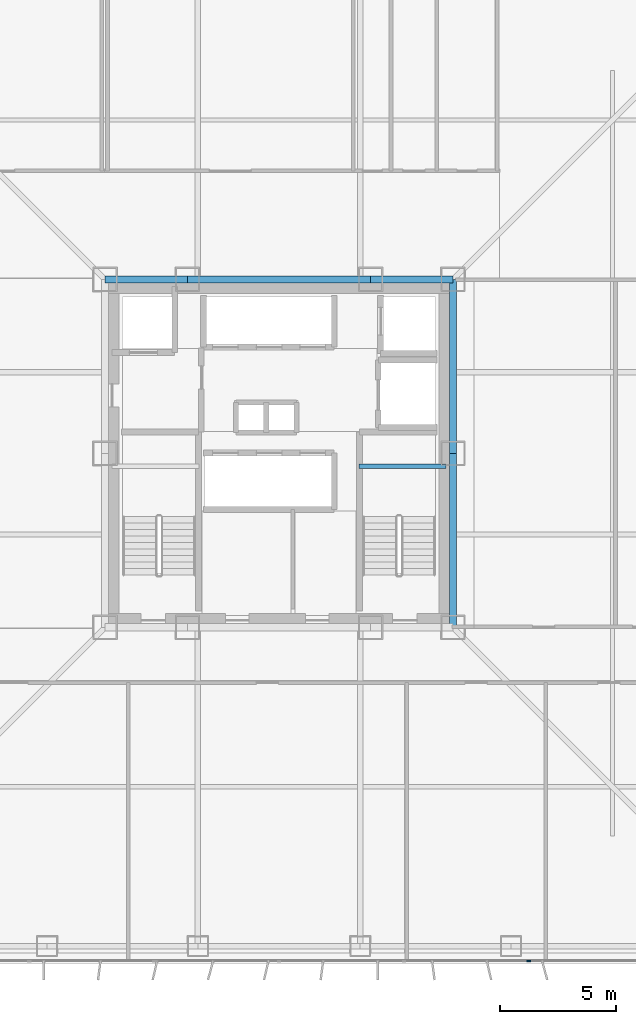
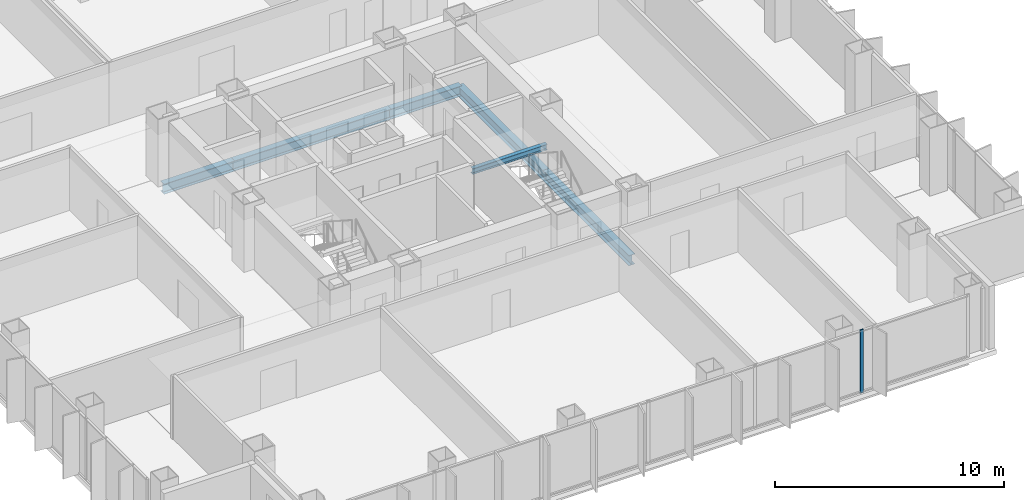
# One storey, part 6 of 17: 6 beams, 1 member, 1 element without a shape of its own.
"""IFC4 building model written with IfcOpenShell, lengths in metres."""

from ifc_helpers import new_model, si_unit, direction, frame, origin, origin_2d, place, context, subcontext, project, spatial, rectangle, i_section, extrude, material, layer, layer_set, material_profile, profile_set, type_object, element, aggregate, save


model = new_model("IFC4")

# Units and contexts
model_context = context("Model", 3, precision=1e-05, world=origin(), true_north=direction((0.0, 1.0)))
body_context = subcontext(model_context, "Body", "Model", "MODEL_VIEW")
ifc_project = project(units=[si_unit("LENGTHUNIT", "METRE"), si_unit("AREAUNIT", "SQUARE_METRE"), si_unit("VOLUMEUNIT", "CUBIC_METRE"), si_unit("PLANEANGLEUNIT", "RADIAN"), si_unit("MASSUNIT", "GRAM", prefix="KILO")], contexts=[model_context])

# Site, building, storey
site_placement = place(None, origin())
site = spatial("IfcSite", under=ifc_project, at=site_placement, CompositionType="ELEMENT")
building_placement = place(site_placement, origin())
building = spatial("IfcBuilding", under=site, at=building_placement, Name="Trevonay Congress Spire", CompositionType="ELEMENT")
storey_placement = place(building_placement, frame((0.0, 0.0, 126.39990234375)))
storey = spatial("IfcBuildingStorey", under=building, at=storey_placement, Name="L32", CompositionType="ELEMENT", Elevation=126.39990234375)

# Beams
ifc_material_1 = material(Name="Steel ASTM A572 Grade 50", Category="steel")
ifc_material_profile_1 = material_profile(ifc_material_1, i_section(OverallWidth=0.31201171875, OverallDepth=0.54296875, WebThickness=0.0126953125, FlangeThickness=0.020263671875, FilletRadius=0.014892578125, at=origin_2d()), Name="W530x150")
ifc_profile_set_1 = profile_set([ifc_material_profile_1], Name="Steel ASTM A572 Grade 50")
beam_type_1 = type_object("IfcBeamType", Name="BM-GIRD-W530X150", PredefinedType="BEAM", material=ifc_profile_set_1)
beam_1_placement = place(storey_placement, frame((-7.5, 7.5, -0.511474609375), z_axis=(1.0, 0.0, 0.0), x_axis=(0.0, 1.0, 0.0)))
element("IfcBeam", 1, at=beam_1_placement, inside=storey, type_object=beam_type_1, Name="L32 structural beam BM-L32-CR-N1", PredefinedType="BEAM", context=body_context, shape_type="SweptSolid", body=[
    extrude(i_section(OverallWidth=0.31201171875, OverallDepth=0.54296875, WebThickness=0.0126953125, FlangeThickness=0.020263671875, FilletRadius=0.014892578125, at=origin_2d()), origin(), (0.0, 0.0, 1.0), 3.550048828125),
])
beam_2_placement = place(storey_placement, frame((-3.949951171875, 7.5, -0.511474609375), z_axis=(1.0, 0.0, 0.0), x_axis=(0.0, 1.0, 0.0)))
element("IfcBeam", 2, at=beam_2_placement, inside=storey, type_object=beam_type_1, Name="L32 structural beam BM-L32-CR-N2", PredefinedType="BEAM", context=body_context, shape_type="SweptSolid", body=[
    extrude(i_section(OverallWidth=0.31201171875, OverallDepth=0.54296875, WebThickness=0.0126953125, FlangeThickness=0.020263671875, FilletRadius=0.014892578125, at=origin_2d()), origin(), (0.0, 0.0, 1.0), 7.89990234375),
])
beam_3_placement = place(storey_placement, frame((3.949951171875, 7.5, -0.511474609375), z_axis=(1.0, 0.0, 0.0), x_axis=(0.0, 1.0, 0.0)))
element("IfcBeam", 3, at=beam_3_placement, inside=storey, type_object=beam_type_1, Name="L32 structural beam BM-L32-CR-N3", PredefinedType="BEAM", context=body_context, shape_type="SweptSolid", body=[
    extrude(i_section(OverallWidth=0.31201171875, OverallDepth=0.54296875, WebThickness=0.0126953125, FlangeThickness=0.020263671875, FilletRadius=0.014892578125, at=origin_2d()), origin(), (0.0, 0.0, 1.0), 3.550048828125),
])
for number, where, z_axis, x_axis, name in (
    (4, (7.5, -7.5, -0.511474609375), (0.0, 1.0, 0.0), (-1.0, 0.0, 0.0), "L32 structural beam BM-L32-CR-E1"),
    (5, (7.5, 0.0, -0.511474609375), (0.0, 1.0, 0.0), (-1.0, 0.0, 0.0), "L32 structural beam BM-L32-CR-E2"),
):
    element("IfcBeam", number, at=place(storey_placement, frame(where, z_axis=z_axis, x_axis=x_axis)), inside=storey, type_object=beam_type_1, Name=name, PredefinedType="BEAM", context=body_context, shape_type="SweptSolid", body=[
        extrude(i_section(OverallWidth=0.31201171875, OverallDepth=0.54296875, WebThickness=0.0126953125, FlangeThickness=0.020263671875, FilletRadius=0.014892578125, at=origin_2d()), origin(), (0.0, 0.0, 1.0), 7.5),
    ])

# Curtain wall, member
ifc_material_2 = material(Name="Pale Anodised Aluminium EN AW-6063-T6", Category="aluminium")
ifc_layer = layer(ifc_material_2, 0.175048828125, Name="Pale Anodised Aluminium EN AW-6063-T6")
ifc_layer_set = layer_set([ifc_layer], Name="Pale Anodised Aluminium EN AW-6063-T6")
curtain_wall_type = type_object("IfcCurtainWallType", Name="CW-SYS03-CONGRESS-PALE-METAL", PredefinedType="NOTDEFINED", material=ifc_layer_set)
curtain_wall_placement = place(storey_placement, origin())
curtain_wall = element("IfcCurtainWall", 6, at=curtain_wall_placement, inside=storey, type_object=curtain_wall_type, Name="L32 S unitised curtain wall", PredefinedType="NOTDEFINED")
ifc_material_profile_2 = material_profile(ifc_material_2, rectangle(XDim=0.06005859375, YDim=0.159912109375, at=origin_2d()), Name="CW-MULLION-160-ALUMINIUM")
ifc_profile_set_2 = profile_set([ifc_material_profile_2], Name="Pale Anodised Aluminium EN AW-6063-T6")
member_type = type_object("IfcMemberType", Name="CW-MULLION-160-ALUMINIUM", PredefinedType="MULLION", material=ifc_profile_set_2)
member_placement = place(storey_placement, frame((10.7666015625, -21.8798828125, 0.0), z_axis=(0.0, 0.0, 1.0), x_axis=(0.0, 1.0, 0.0)))
member = element("IfcMember", 7, at=member_placement, type_object=member_type, Name="CW03 mullion 6", PredefinedType="MULLION", context=body_context, shape_type="SweptSolid", body=[
    extrude(rectangle(XDim=0.06005859375, YDim=0.159912109375, at=origin_2d()), origin(), (0.0, 0.0, 1.0), 3.360107421875),
])
aggregate(curtain_wall, [member])

# Beam
ifc_material_profile_3 = material_profile(ifc_material_1, i_section(OverallWidth=0.2041015625, OverallDepth=0.305908203125, WebThickness=0.008544921875, FlangeThickness=0.0146484375, FilletRadius=0.010986328125, at=origin_2d()), Name="W310x67")
ifc_profile_set_3 = profile_set([ifc_material_profile_3], Name="Steel ASTM A572 Grade 50")
beam_type_2 = type_object("IfcBeamType", Name="LN-CORE-W310X67", PredefinedType="LINTEL", material=ifc_profile_set_3)
beam_4_placement = place(storey_placement, frame((3.449951171875, -0.550048828125, 1.447021484375), z_axis=(1.0, 0.0, 0.0), x_axis=(0.0, 1.0, 0.0)))
element("IfcBeam", 8, at=beam_4_placement, inside=storey, type_object=beam_type_2, Name="L32 structural beam BM-L32-HL-ST2", PredefinedType="LINTEL", context=body_context, shape_type="SweptSolid", body=[
    extrude(i_section(OverallWidth=0.2041015625, OverallDepth=0.305908203125, WebThickness=0.008544921875, FlangeThickness=0.0146484375, FilletRadius=0.010986328125, at=origin_2d()), origin(), (0.0, 0.0, 1.0), 3.75),
])

save(model, "model.ifc")
